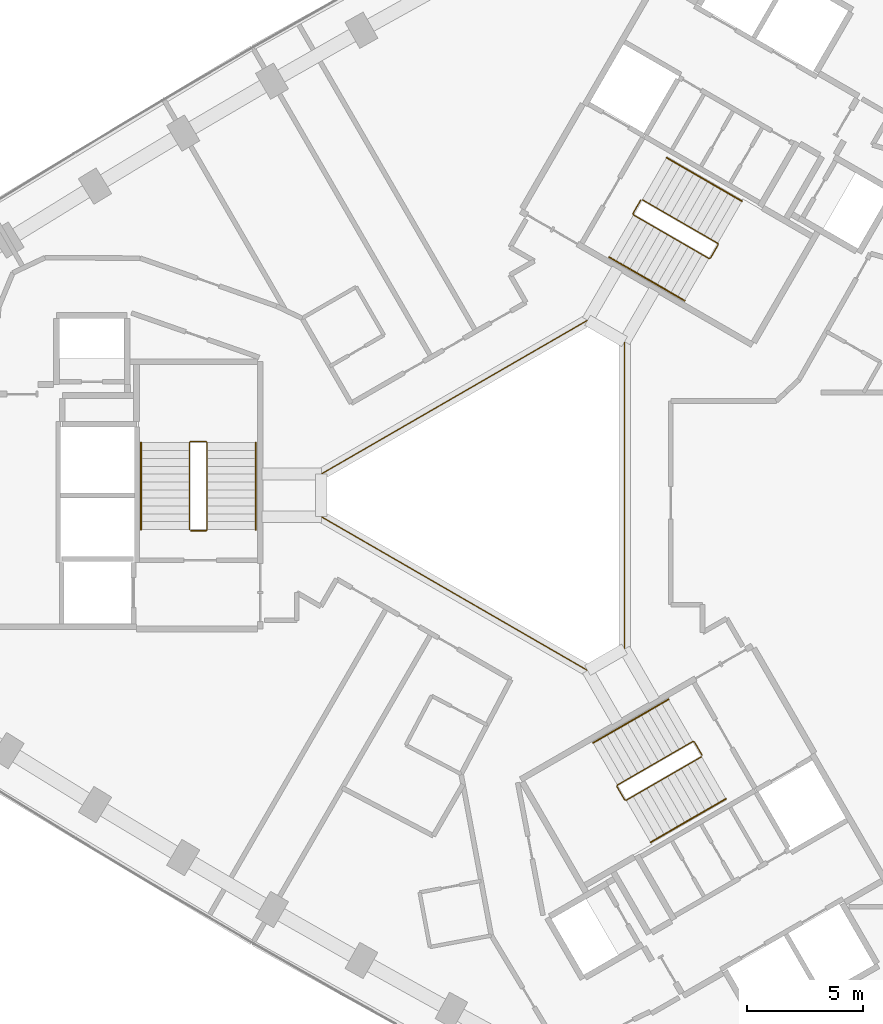
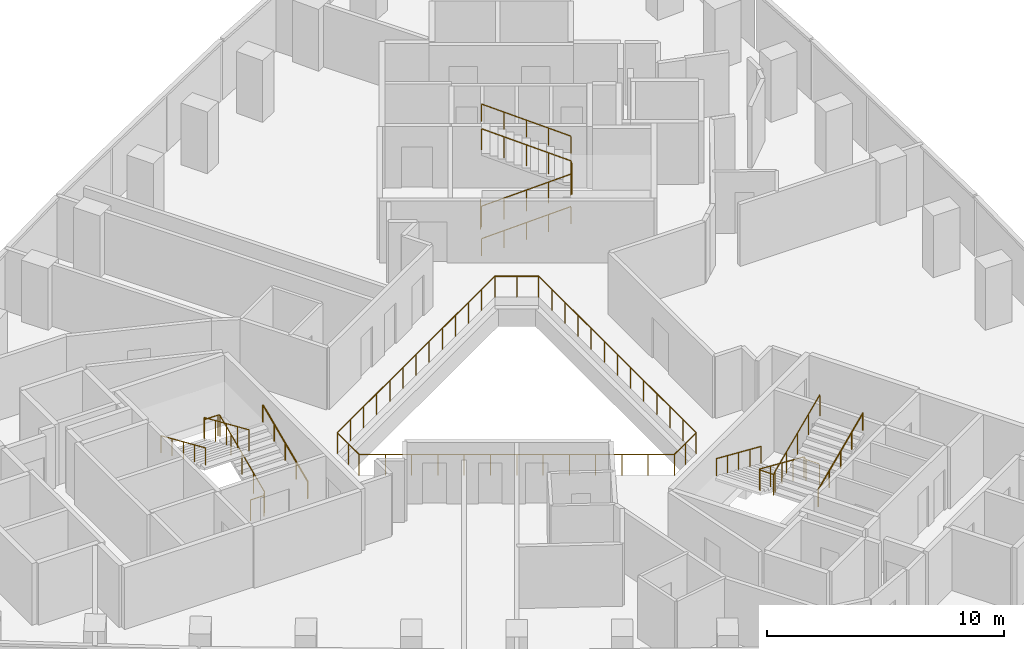
# One storey, part 12 of 12: 10 railings.
"""IFC4 building model written with IfcOpenShell, lengths in metres."""

from ifc_helpers import new_model, si_unit, direction, frame, origin, origin_2d, place, context, subcontext, project, spatial, circle, extrude, material, type_object, element, save


model = new_model("IFC4")

# Units and contexts
model_context = context("Model", 3, precision=1e-05, world=origin(), true_north=direction((0.0, 1.0)))
body_context = subcontext(model_context, "Body", "Model", "MODEL_VIEW")
ifc_project = project(units=[si_unit("LENGTHUNIT", "METRE"), si_unit("AREAUNIT", "SQUARE_METRE"), si_unit("VOLUMEUNIT", "CUBIC_METRE"), si_unit("PLANEANGLEUNIT", "RADIAN"), si_unit("MASSUNIT", "GRAM", prefix="KILO")], contexts=[model_context])

# Site, building, storey
site_placement = place(None, origin())
site = spatial("IfcSite", under=ifc_project, at=site_placement, CompositionType="ELEMENT")
building_placement = place(site_placement, origin())
building = spatial("IfcBuilding", under=site, at=building_placement, Name="Tamra Quay Hotel Tower", CompositionType="ELEMENT")
storey_placement = place(building_placement, frame((0.0, 0.0, 83.0)))
storey = spatial("IfcBuildingStorey", under=building, at=storey_placement, Name="L19", CompositionType="ELEMENT", Elevation=83.0)

# Railings
ifc_material_1 = material(Name="Guard atrium edge 1100")
railing_type_1 = type_object("IfcRailingType", Name="Guard atrium edge 1100", PredefinedType="GUARDRAIL", material=ifc_material_1)
railing_1_placement = place(storey_placement, frame((4.89990234375, -6.639892578125, 0.0)))
element("IfcRailing", 1, at=railing_1_placement, inside=storey, type_object=railing_type_1, Name="G-A", PredefinedType="GUARDRAIL", context=body_context, shape_type="SweptSolid", body=[
    extrude(circle(Radius=0.02392578125, at=origin_2d()), frame((0.0, 0.0, 1.076171875), z_axis=(-0.866161379324, -0.499764409465, 0.0), x_axis=(0.499764409465, -0.866161379324, 0.0)), (0.0, 0.0, 1.0), 1.84716796875),
    extrude(circle(Radius=0.02392578125, at=origin_2d()), frame((-1.599853515625, -0.923095703125, 1.076171875), z_axis=(-0.866045362687, 0.499965428574, 0.0), x_axis=(-0.499965428574, -0.866045362687, 0.0)), (0.0, 0.0, 1.0), 13.27880859375),
    extrude(circle(Radius=0.02392578125, at=origin_2d()), frame((-13.099853515625, 5.7158203125, 1.076171875), z_axis=(0.0, 1.0, 0.0), x_axis=(-1.0, 0.0, 0.0)), (0.0, 0.0, 1.0), 1.84814453125),
    extrude(circle(Radius=0.02392578125, at=origin_2d()), frame((-13.099853515625, 7.56396484375, 1.076171875), z_axis=(0.866045362687, 0.499965428574, 0.0), x_axis=(-0.499965428574, 0.866045362687, 0.0)), (0.0, 0.0, 1.0), 13.27880859375),
    extrude(circle(Radius=0.02392578125, at=origin_2d()), frame((-1.599853515625, 14.202880859375, 1.076171875), z_axis=(0.866161379324, -0.499764409465, 0.0), x_axis=(0.499764409465, 0.866161379324, 0.0)), (0.0, 0.0, 1.0), 1.84716796875),
    extrude(circle(Radius=0.02392578125, at=origin_2d()), frame((0.0, 13.27978515625, 1.076171875), z_axis=(0.0, -1.0, 0.0), x_axis=(1.0, 0.0, 0.0)), (0.0, 0.0, 1.0), 13.27978515625),
    extrude(circle(Radius=0.02099609375, at=origin_2d()), origin(), (0.0, 0.0, 1.0), 1.052001953125),
    extrude(circle(Radius=0.02099609375, at=origin_2d()), frame((-0.7998046875, -0.46142578125, 0.0)), (0.0, 0.0, 1.0), 1.052001953125),
    extrude(circle(Radius=0.02099609375, at=origin_2d()), frame((-1.599853515625, -0.923095703125, 0.0)), (0.0, 0.0, 1.0), 1.052001953125),
    extrude(circle(Radius=0.02099609375, at=origin_2d()), frame((-2.55810546875, -0.369873046875, 0.0)), (0.0, 0.0, 1.0), 1.052001953125),
    extrude(circle(Radius=0.02099609375, at=origin_2d()), frame((-3.5166015625, 0.183349609375, 0.0)), (0.0, 0.0, 1.0), 1.052001953125),
    extrude(circle(Radius=0.02099609375, at=origin_2d()), frame((-4.474853515625, 0.736572265625, 0.0)), (0.0, 0.0, 1.0), 1.052001953125),
    extrude(circle(Radius=0.02099609375, at=origin_2d()), frame((-5.43310546875, 1.289794921875, 0.0)), (0.0, 0.0, 1.0), 1.052001953125),
    extrude(circle(Radius=0.02099609375, at=origin_2d()), frame((-6.3916015625, 1.843017578125, 0.0)), (0.0, 0.0, 1.0), 1.052001953125),
    extrude(circle(Radius=0.02099609375, at=origin_2d()), frame((-7.349853515625, 2.396484375, 0.0)), (0.0, 0.0, 1.0), 1.052001953125),
    extrude(circle(Radius=0.02099609375, at=origin_2d()), frame((-8.30810546875, 2.94970703125, 0.0)), (0.0, 0.0, 1.0), 1.052001953125),
    extrude(circle(Radius=0.02099609375, at=origin_2d()), frame((-9.2666015625, 3.5029296875, 0.0)), (0.0, 0.0, 1.0), 1.052001953125),
    extrude(circle(Radius=0.02099609375, at=origin_2d()), frame((-10.224853515625, 4.05615234375, 0.0)), (0.0, 0.0, 1.0), 1.052001953125),
    extrude(circle(Radius=0.02099609375, at=origin_2d()), frame((-11.18310546875, 4.609375, 0.0)), (0.0, 0.0, 1.0), 1.052001953125),
    extrude(circle(Radius=0.02099609375, at=origin_2d()), frame((-12.1416015625, 5.16259765625, 0.0)), (0.0, 0.0, 1.0), 1.052001953125),
    extrude(circle(Radius=0.02099609375, at=origin_2d()), frame((-13.099853515625, 5.7158203125, 0.0)), (0.0, 0.0, 1.0), 1.052001953125),
    extrude(circle(Radius=0.02099609375, at=origin_2d()), frame((-13.099853515625, 6.639892578125, 0.0)), (0.0, 0.0, 1.0), 1.052001953125),
    extrude(circle(Radius=0.02099609375, at=origin_2d()), frame((-13.099853515625, 7.56396484375, 0.0)), (0.0, 0.0, 1.0), 1.052001953125),
    extrude(circle(Radius=0.02099609375, at=origin_2d()), frame((-12.1416015625, 8.1171875, 0.0)), (0.0, 0.0, 1.0), 1.052001953125),
    extrude(circle(Radius=0.02099609375, at=origin_2d()), frame((-11.18310546875, 8.67041015625, 0.0)), (0.0, 0.0, 1.0), 1.052001953125),
    extrude(circle(Radius=0.02099609375, at=origin_2d()), frame((-10.224853515625, 9.2236328125, 0.0)), (0.0, 0.0, 1.0), 1.052001953125),
    extrude(circle(Radius=0.02099609375, at=origin_2d()), frame((-9.2666015625, 9.77685546875, 0.0)), (0.0, 0.0, 1.0), 1.052001953125),
    extrude(circle(Radius=0.02099609375, at=origin_2d()), frame((-8.30810546875, 10.330078125, 0.0)), (0.0, 0.0, 1.0), 1.052001953125),
    extrude(circle(Radius=0.02099609375, at=origin_2d()), frame((-7.349853515625, 10.88330078125, 0.0)), (0.0, 0.0, 1.0), 1.052001953125),
    extrude(circle(Radius=0.02099609375, at=origin_2d()), frame((-6.3916015625, 11.436767578125, 0.0)), (0.0, 0.0, 1.0), 1.052001953125),
    extrude(circle(Radius=0.02099609375, at=origin_2d()), frame((-5.43310546875, 11.989990234375, 0.0)), (0.0, 0.0, 1.0), 1.052001953125),
    extrude(circle(Radius=0.02099609375, at=origin_2d()), frame((-4.474853515625, 12.543212890625, 0.0)), (0.0, 0.0, 1.0), 1.052001953125),
    extrude(circle(Radius=0.02099609375, at=origin_2d()), frame((-3.5166015625, 13.096435546875, 0.0)), (0.0, 0.0, 1.0), 1.052001953125),
    extrude(circle(Radius=0.02099609375, at=origin_2d()), frame((-2.55810546875, 13.649658203125, 0.0)), (0.0, 0.0, 1.0), 1.052001953125),
    extrude(circle(Radius=0.02099609375, at=origin_2d()), frame((-1.599853515625, 14.202880859375, 0.0)), (0.0, 0.0, 1.0), 1.052001953125),
    extrude(circle(Radius=0.02099609375, at=origin_2d()), frame((-0.7998046875, 13.7412109375, 0.0)), (0.0, 0.0, 1.0), 1.052001953125),
    extrude(circle(Radius=0.02099609375, at=origin_2d()), frame((0.0, 13.27978515625, 0.0)), (0.0, 0.0, 1.0), 1.052001953125),
    extrude(circle(Radius=0.02099609375, at=origin_2d()), frame((0.0, 12.173095703125, 0.0)), (0.0, 0.0, 1.0), 1.052001953125),
    extrude(circle(Radius=0.02099609375, at=origin_2d()), frame((0.0, 11.06640625, 0.0)), (0.0, 0.0, 1.0), 1.052001953125),
    extrude(circle(Radius=0.02099609375, at=origin_2d()), frame((0.0, 9.9599609375, 0.0)), (0.0, 0.0, 1.0), 1.052001953125),
    extrude(circle(Radius=0.02099609375, at=origin_2d()), frame((0.0, 8.853271484375, 0.0)), (0.0, 0.0, 1.0), 1.052001953125),
    extrude(circle(Radius=0.02099609375, at=origin_2d()), frame((0.0, 7.74658203125, 0.0)), (0.0, 0.0, 1.0), 1.052001953125),
    extrude(circle(Radius=0.02099609375, at=origin_2d()), frame((0.0, 6.639892578125, 0.0)), (0.0, 0.0, 1.0), 1.052001953125),
    extrude(circle(Radius=0.02099609375, at=origin_2d()), frame((0.0, 5.533203125, 0.0)), (0.0, 0.0, 1.0), 1.052001953125),
    extrude(circle(Radius=0.02099609375, at=origin_2d()), frame((0.0, 4.426513671875, 0.0)), (0.0, 0.0, 1.0), 1.052001953125),
    extrude(circle(Radius=0.02099609375, at=origin_2d()), frame((0.0, 3.31982421875, 0.0)), (0.0, 0.0, 1.0), 1.052001953125),
    extrude(circle(Radius=0.02099609375, at=origin_2d()), frame((0.0, 2.21337890625, 0.0)), (0.0, 0.0, 1.0), 1.052001953125),
    extrude(circle(Radius=0.02099609375, at=origin_2d()), frame((0.0, 1.106689453125, 0.0)), (0.0, 0.0, 1.0), 1.052001953125),
])
ifc_material_2 = material(Name="Stair guard 1100")
railing_type_2 = type_object("IfcRailingType", Name="Stair guard 1100", PredefinedType="GUARDRAIL", material=ifc_material_2)
railing_2_placement = place(storey_placement, frame((-13.84130859375, -1.530029296875, 0.0)))
element("IfcRailing", 2, at=railing_2_placement, inside=storey, type_object=railing_type_2, Name="GR", PredefinedType="GUARDRAIL", context=body_context, shape_type="SweptSolid", body=[
    extrude(circle(Radius=0.02392578125, at=origin_2d()), frame((0.0, 0.0, 1.076171875), z_axis=(1.0, 0.0, 0.0), x_axis=(0.0, 1.0, 0.0)), (0.0, 0.0, 1.0), 0.658935546875),
    extrude(circle(Radius=0.02392578125, at=origin_2d()), frame((0.658935546875, 0.0, 1.076171875), z_axis=(0.301912943143, 0.301912943143, 0.904266083366), x_axis=(-0.707106781187, 0.707106781187, 0.0)), (0.0, 0.0, 1.0), 0.165771484375),
    extrude(circle(Radius=0.02392578125, at=origin_2d()), frame((0.708984375, 0.050048828125, 1.22607421875), z_axis=(0.0, 0.915773634228, 0.401694723457), x_axis=(-1.0, 0.0, 0.0)), (0.0, 0.0, 1.0), 4.10791015625),
    extrude(circle(Radius=0.02392578125, at=origin_2d()), frame((0.708984375, 3.81201171875, 2.8759765625), z_axis=(-0.708833529934, 0.705375805398, 0.0), x_axis=(-0.705375805398, -0.708833529934, 0.0)), (0.0, 0.0, 1.0), 0.070556640625),
    extrude(circle(Radius=0.02392578125, at=origin_2d()), frame((0.658935546875, 3.86181640625, 2.8759765625), z_axis=(-1.0, 0.0, 0.0), x_axis=(0.0, -1.0, 0.0)), (0.0, 0.0, 1.0), 0.658935546875),
    extrude(circle(Radius=0.02392578125, at=origin_2d()), frame((0.0, 3.86181640625, 2.8759765625), z_axis=(-0.302046947789, -0.300573548044, 0.904667443621), x_axis=(0.705375805398, -0.708833529934, 0.0)), (0.0, 0.0, 1.0), 0.165771484375),
    extrude(circle(Radius=0.02392578125, at=origin_2d()), frame((-0.050048828125, 3.81201171875, 3.02587890625), z_axis=(0.0, -0.915773634228, 0.401694723457), x_axis=(1.0, 0.0, 0.0)), (0.0, 0.0, 1.0), 4.10791015625),
    extrude(circle(Radius=0.02099609375, at=origin_2d()), origin(), (0.0, 0.0, 1.0), 1.052001953125),
    extrude(circle(Radius=0.02099609375, at=origin_2d()), frame((0.658935546875, 0.0, 0.0)), (0.0, 0.0, 1.0), 1.052001953125),
    extrude(circle(Radius=0.02099609375, at=origin_2d()), frame((0.708984375, 0.050048828125, 0.14990234375)), (0.0, 0.0, 1.0), 1.052001953125),
    extrude(circle(Radius=0.02099609375, at=origin_2d()), frame((0.708984375, 0.990478515625, 0.5625)), (0.0, 0.0, 1.0), 1.052001953125),
    extrude(circle(Radius=0.02099609375, at=origin_2d()), frame((0.708984375, 1.93115234375, 0.97509765625)), (0.0, 0.0, 1.0), 1.052001953125),
    extrude(circle(Radius=0.02099609375, at=origin_2d()), frame((0.708984375, 2.87158203125, 1.387451171875)), (0.0, 0.0, 1.0), 1.052001953125),
    extrude(circle(Radius=0.02099609375, at=origin_2d()), frame((0.708984375, 3.81201171875, 1.800048828125)), (0.0, 0.0, 1.0), 1.052001953125),
    extrude(circle(Radius=0.02099609375, at=origin_2d()), frame((0.658935546875, 3.86181640625, 1.800048828125)), (0.0, 0.0, 1.0), 1.052001953125),
    extrude(circle(Radius=0.02099609375, at=origin_2d()), frame((0.0, 3.86181640625, 1.800048828125)), (0.0, 0.0, 1.0), 1.052001953125),
    extrude(circle(Radius=0.02099609375, at=origin_2d()), frame((-0.050048828125, 3.81201171875, 1.949951171875)), (0.0, 0.0, 1.0), 1.052001953125),
    extrude(circle(Radius=0.02099609375, at=origin_2d()), frame((-0.050048828125, 2.87158203125, 2.362548828125)), (0.0, 0.0, 1.0), 1.052001953125),
    extrude(circle(Radius=0.02099609375, at=origin_2d()), frame((-0.050048828125, 1.93115234375, 2.77490234375)), (0.0, 0.0, 1.0), 1.052001953125),
    extrude(circle(Radius=0.02099609375, at=origin_2d()), frame((-0.050048828125, 0.990478515625, 3.1875)), (0.0, 0.0, 1.0), 1.052001953125),
    extrude(circle(Radius=0.02099609375, at=origin_2d()), frame((-0.050048828125, 0.050048828125, 3.60009765625)), (0.0, 0.0, 1.0), 1.052001953125),
])
railing_3_placement = place(storey_placement, frame((5.595458984375, 12.751953125, 0.0)))
element("IfcRailing", 3, at=railing_3_placement, inside=storey, type_object=railing_type_2, Name="GR", PredefinedType="GUARDRAIL", context=body_context, shape_type="SweptSolid", body=[
    extrude(circle(Radius=0.02392578125, at=origin_2d()), frame((0.0, 0.0, 1.076171875), z_axis=(-0.499765215335, -0.866160914346, 0.0), x_axis=(0.866160914346, -0.499765215335, 0.0)), (0.0, 0.0, 1.0), 0.658935546875),
    extrude(circle(Radius=0.02392578125, at=origin_2d()), frame((-0.329345703125, -0.57080078125, 1.076171875), z_axis=(0.110525977783, -0.411156637351, 0.904839338113), x_axis=(0.965715946433, 0.259601060869, 0.0)), (0.0, 0.0, 1.0), 0.165771484375),
    extrude(circle(Radius=0.02392578125, at=origin_2d()), frame((-0.31103515625, -0.638916015625, 1.22607421875), z_axis=(0.79305953016, -0.457922937641, 0.401700342053), x_axis=(0.500040788363, 0.866001853331, 0.0)), (0.0, 0.0, 1.0), 4.10791015625),
    extrude(circle(Radius=0.02392578125, at=origin_2d()), frame((2.94677734375, -2.52001953125, 2.8759765625), z_axis=(0.965948051503, 0.258736085224, 0.0), x_axis=(-0.258736085224, 0.965948051503, 0.0)), (0.0, 0.0, 1.0), 0.07080078125),
    extrude(circle(Radius=0.02392578125, at=origin_2d()), frame((3.01513671875, -2.501708984375, 2.8759765625), z_axis=(0.500043078269, 0.866000531106, 0.0), x_axis=(-0.866000531106, 0.500043078269, 0.0)), (0.0, 0.0, 1.0), 0.6591796875),
    extrude(circle(Radius=0.02392578125, at=origin_2d()), frame((3.3447265625, -1.930908203125, 2.8759765625), z_axis=(-0.110525977783, 0.411156637351, 0.904839338113), x_axis=(-0.965715946433, -0.259601060869, 0.0)), (0.0, 0.0, 1.0), 0.165771484375),
    extrude(circle(Radius=0.02392578125, at=origin_2d()), frame((3.326416015625, -1.86279296875, 3.02587890625), z_axis=(-0.793081581205, 0.457901355053, 0.401681409319), x_axis=(-0.500012686397, -0.866018079166, 0.0)), (0.0, 0.0, 1.0), 4.108154296875),
    extrude(circle(Radius=0.02099609375, at=origin_2d()), origin(), (0.0, 0.0, 1.0), 1.052001953125),
    extrude(circle(Radius=0.02099609375, at=origin_2d()), frame((-0.329345703125, -0.57080078125, 0.0)), (0.0, 0.0, 1.0), 1.052001953125),
    extrude(circle(Radius=0.02099609375, at=origin_2d()), frame((-0.31103515625, -0.638916015625, 0.14990234375)), (0.0, 0.0, 1.0), 1.052001953125),
    extrude(circle(Radius=0.02099609375, at=origin_2d()), frame((0.50341796875, -1.109130859375, 0.5625)), (0.0, 0.0, 1.0), 1.052001953125),
    extrude(circle(Radius=0.02099609375, at=origin_2d()), frame((1.31787109375, -1.57958984375, 0.97509765625)), (0.0, 0.0, 1.0), 1.052001953125),
    extrude(circle(Radius=0.02099609375, at=origin_2d()), frame((2.13232421875, -2.0498046875, 1.387451171875)), (0.0, 0.0, 1.0), 1.052001953125),
    extrude(circle(Radius=0.02099609375, at=origin_2d()), frame((2.94677734375, -2.52001953125, 1.800048828125)), (0.0, 0.0, 1.0), 1.052001953125),
    extrude(circle(Radius=0.02099609375, at=origin_2d()), frame((3.01513671875, -2.501708984375, 1.800048828125)), (0.0, 0.0, 1.0), 1.052001953125),
    extrude(circle(Radius=0.02099609375, at=origin_2d()), frame((3.3447265625, -1.930908203125, 1.800048828125)), (0.0, 0.0, 1.0), 1.052001953125),
    extrude(circle(Radius=0.02099609375, at=origin_2d()), frame((3.326416015625, -1.86279296875, 1.949951171875)), (0.0, 0.0, 1.0), 1.052001953125),
    extrude(circle(Radius=0.02099609375, at=origin_2d()), frame((2.511962890625, -1.392578125, 2.362548828125)), (0.0, 0.0, 1.0), 1.052001953125),
    extrude(circle(Radius=0.02099609375, at=origin_2d()), frame((1.697265625, -0.92236328125, 2.77490234375)), (0.0, 0.0, 1.0), 1.052001953125),
    extrude(circle(Radius=0.02099609375, at=origin_2d()), frame((0.8828125, -0.451904296875, 3.1875)), (0.0, 0.0, 1.0), 1.052001953125),
    extrude(circle(Radius=0.02099609375, at=origin_2d()), frame((0.068359375, 0.018310546875, 3.60009765625)), (0.0, 0.0, 1.0), 1.052001953125),
])
railing_4_placement = place(storey_placement, frame((8.245849609375, -11.221923828125, 0.0)))
element("IfcRailing", 4, at=railing_4_placement, inside=storey, type_object=railing_type_2, Name="GR", PredefinedType="GUARDRAIL", context=body_context, shape_type="SweptSolid", body=[
    extrude(circle(Radius=0.02392578125, at=origin_2d()), frame((0.0, 0.0, 1.076171875), z_axis=(-0.500043078269, 0.866000531106, 0.0), x_axis=(-0.866000531106, -0.500043078269, 0.0)), (0.0, 0.0, 1.0), 0.6591796875),
    extrude(circle(Radius=0.02392578125, at=origin_2d()), frame((-0.32958984375, 0.57080078125, 1.076171875), z_axis=(-0.41238007866, 0.110458949641, 0.904290601062), x_axis=(-0.258736085224, -0.965948051503, 0.0)), (0.0, 0.0, 1.0), 0.165771484375),
    extrude(circle(Radius=0.02392578125, at=origin_2d()), frame((-0.39794921875, 0.589111328125, 1.22607421875), z_axis=(-0.793081581205, -0.457901355053, 0.401681409319), x_axis=(0.500012686397, -0.866018079166, 0.0)), (0.0, 0.0, 1.0), 4.108154296875),
    extrude(circle(Radius=0.02392578125, at=origin_2d()), frame((-3.656005859375, -1.2919921875, 2.8759765625), z_axis=(-0.256368644879, -0.966579080015, 0.0), x_axis=(0.966579080015, -0.256368644879, 0.0)), (0.0, 0.0, 1.0), 0.070556640625),
    extrude(circle(Radius=0.02392578125, at=origin_2d()), frame((-3.674072265625, -1.360107421875, 2.8759765625), z_axis=(0.499765215335, -0.866160914346, 0.0), x_axis=(0.866160914346, 0.499765215335, 0.0)), (0.0, 0.0, 1.0), 0.658935546875),
    extrude(circle(Radius=0.02392578125, at=origin_2d()), frame((-3.3447265625, -1.930908203125, 2.8759765625), z_axis=(0.41238007866, -0.110458949641, 0.904290601062), x_axis=(0.258736085224, 0.965948051503, 0.0)), (0.0, 0.0, 1.0), 0.165771484375),
    extrude(circle(Radius=0.02392578125, at=origin_2d()), frame((-3.2763671875, -1.94921875, 3.02587890625), z_axis=(0.793081581205, 0.457901355053, 0.401681409319), x_axis=(-0.500012686397, 0.866018079166, 0.0)), (0.0, 0.0, 1.0), 4.108154296875),
    extrude(circle(Radius=0.02099609375, at=origin_2d()), origin(), (0.0, 0.0, 1.0), 1.052001953125),
    extrude(circle(Radius=0.02099609375, at=origin_2d()), frame((-0.32958984375, 0.57080078125, 0.0)), (0.0, 0.0, 1.0), 1.052001953125),
    extrude(circle(Radius=0.02099609375, at=origin_2d()), frame((-0.39794921875, 0.589111328125, 0.14990234375)), (0.0, 0.0, 1.0), 1.052001953125),
    extrude(circle(Radius=0.02099609375, at=origin_2d()), frame((-1.21240234375, 0.118896484375, 0.5625)), (0.0, 0.0, 1.0), 1.052001953125),
    extrude(circle(Radius=0.02099609375, at=origin_2d()), frame((-2.02685546875, -0.3515625, 0.97509765625)), (0.0, 0.0, 1.0), 1.052001953125),
    extrude(circle(Radius=0.02099609375, at=origin_2d()), frame((-2.841552734375, -0.82177734375, 1.387451171875)), (0.0, 0.0, 1.0), 1.052001953125),
    extrude(circle(Radius=0.02099609375, at=origin_2d()), frame((-3.656005859375, -1.2919921875, 1.800048828125)), (0.0, 0.0, 1.0), 1.052001953125),
    extrude(circle(Radius=0.02099609375, at=origin_2d()), frame((-3.674072265625, -1.360107421875, 1.800048828125)), (0.0, 0.0, 1.0), 1.052001953125),
    extrude(circle(Radius=0.02099609375, at=origin_2d()), frame((-3.3447265625, -1.930908203125, 1.800048828125)), (0.0, 0.0, 1.0), 1.052001953125),
    extrude(circle(Radius=0.02099609375, at=origin_2d()), frame((-3.2763671875, -1.94921875, 1.949951171875)), (0.0, 0.0, 1.0), 1.052001953125),
    extrude(circle(Radius=0.02099609375, at=origin_2d()), frame((-2.4619140625, -1.47900390625, 2.362548828125)), (0.0, 0.0, 1.0), 1.052001953125),
    extrude(circle(Radius=0.02099609375, at=origin_2d()), frame((-1.6474609375, -1.0087890625, 2.77490234375)), (0.0, 0.0, 1.0), 1.052001953125),
    extrude(circle(Radius=0.02099609375, at=origin_2d()), frame((-0.832763671875, -0.538330078125, 3.1875)), (0.0, 0.0, 1.0), 1.052001953125),
    extrude(circle(Radius=0.02099609375, at=origin_2d()), frame((-0.018310546875, -0.068115234375, 3.60009765625)), (0.0, 0.0, 1.0), 1.052001953125),
])
ifc_material_3 = material(Name="Stair handrail 900")
railing_type_3 = type_object("IfcRailingType", Name="Stair handrail 900", PredefinedType="HANDRAIL", material=ifc_material_3)
railing_5_placement = place(storey_placement, frame((-11.0322265625, -1.47998046875, 0.14990234375)))
element("IfcRailing", 5, at=railing_5_placement, inside=storey, type_object=railing_type_3, Name="HR", PredefinedType="HANDRAIL", context=body_context, shape_type="SweptSolid", body=[
    extrude(circle(Radius=0.02392578125, at=origin_2d()), frame((0.0, 0.0, 0.8759765625), z_axis=(0.0, 0.915773634228, 0.401694723457), x_axis=(-1.0, 0.0, 0.0)), (0.0, 0.0, 1.0), 4.10791015625),
    extrude(circle(Radius=0.02099609375, at=origin_2d()), origin(), (0.0, 0.0, 1.0), 0.851806640625),
    extrude(circle(Radius=0.02099609375, at=origin_2d()), frame((0.0, 0.9404296875, 0.41259765625)), (0.0, 0.0, 1.0), 0.851806640625),
    extrude(circle(Radius=0.02099609375, at=origin_2d()), frame((0.0, 1.880859375, 0.8251953125)), (0.0, 0.0, 1.0), 0.851806640625),
    extrude(circle(Radius=0.02099609375, at=origin_2d()), frame((0.0, 2.821533203125, 1.237548828125)), (0.0, 0.0, 1.0), 0.851806640625),
    extrude(circle(Radius=0.02099609375, at=origin_2d()), frame((0.0, 3.761962890625, 1.650146484375)), (0.0, 0.0, 1.0), 0.851806640625),
])
railing_6_placement = place(storey_placement, frame((-15.9912109375, 2.281982421875, 1.949951171875)))
element("IfcRailing", 6, at=railing_6_placement, inside=storey, type_object=railing_type_3, Name="HR", PredefinedType="HANDRAIL", context=body_context, shape_type="SweptSolid", body=[
    extrude(circle(Radius=0.02392578125, at=origin_2d()), frame((0.0, 0.0, 0.8759765625), z_axis=(0.0, -0.915773634228, 0.401694723457), x_axis=(1.0, 0.0, 0.0)), (0.0, 0.0, 1.0), 4.10791015625),
    extrude(circle(Radius=0.02099609375, at=origin_2d()), origin(), (0.0, 0.0, 1.0), 0.851806640625),
    extrude(circle(Radius=0.02099609375, at=origin_2d()), frame((0.0, -0.9404296875, 0.41259765625)), (0.0, 0.0, 1.0), 0.851806640625),
    extrude(circle(Radius=0.02099609375, at=origin_2d()), frame((0.0, -1.880859375, 0.8251953125)), (0.0, 0.0, 1.0), 0.851806640625),
    extrude(circle(Radius=0.02099609375, at=origin_2d()), frame((0.0, -2.821533203125, 1.237548828125)), (0.0, 0.0, 1.0), 0.851806640625),
    extrude(circle(Radius=0.02099609375, at=origin_2d()), frame((0.0, -3.761962890625, 1.650146484375)), (0.0, 0.0, 1.0), 0.851806640625),
])
railing_7_placement = place(storey_placement, frame((4.234375, 10.294189453125, 0.14990234375)))
element("IfcRailing", 7, at=railing_7_placement, inside=storey, type_object=railing_type_3, Name="HR", PredefinedType="HANDRAIL", context=body_context, shape_type="SweptSolid", body=[
    extrude(circle(Radius=0.02392578125, at=origin_2d()), frame((0.0, 0.0, 0.8759765625), z_axis=(0.793103162556, -0.457854384738, 0.401692339881), x_axis=(0.499964013922, 0.86604617936, 0.0)), (0.0, 0.0, 1.0), 4.10791015625),
    extrude(circle(Radius=0.02099609375, at=origin_2d()), origin(), (0.0, 0.0, 1.0), 0.851806640625),
    extrude(circle(Radius=0.02099609375, at=origin_2d()), frame((0.814453125, -0.47021484375, 0.41259765625)), (0.0, 0.0, 1.0), 0.851806640625),
    extrude(circle(Radius=0.02099609375, at=origin_2d()), frame((1.62890625, -0.9404296875, 0.8251953125)), (0.0, 0.0, 1.0), 0.851806640625),
    extrude(circle(Radius=0.02099609375, at=origin_2d()), frame((2.443603515625, -1.41064453125, 1.237548828125)), (0.0, 0.0, 1.0), 0.851806640625),
    extrude(circle(Radius=0.02099609375, at=origin_2d()), frame((3.258056640625, -1.880859375, 1.650146484375)), (0.0, 0.0, 1.0), 0.851806640625),
])
railing_8_placement = place(storey_placement, frame((9.971923828125, 12.7080078125, 1.949951171875)))
element("IfcRailing", 8, at=railing_8_placement, inside=storey, type_object=railing_type_3, Name="HR", PredefinedType="HANDRAIL", context=body_context, shape_type="SweptSolid", body=[
    extrude(circle(Radius=0.02392578125, at=origin_2d()), frame((0.0, 0.0, 0.8759765625), z_axis=(-0.793103162556, 0.457854384738, 0.401692339881), x_axis=(-0.499964013922, -0.86604617936, 0.0)), (0.0, 0.0, 1.0), 4.10791015625),
    extrude(circle(Radius=0.02099609375, at=origin_2d()), origin(), (0.0, 0.0, 1.0), 0.851806640625),
    extrude(circle(Radius=0.02099609375, at=origin_2d()), frame((-0.814453125, 0.47021484375, 0.41259765625)), (0.0, 0.0, 1.0), 0.851806640625),
    extrude(circle(Radius=0.02099609375, at=origin_2d()), frame((-1.62890625, 0.9404296875, 0.8251953125)), (0.0, 0.0, 1.0), 0.851806640625),
    extrude(circle(Radius=0.02099609375, at=origin_2d()), frame((-2.443603515625, 1.41064453125, 1.237548828125)), (0.0, 0.0, 1.0), 0.851806640625),
    extrude(circle(Radius=0.02099609375, at=origin_2d()), frame((-3.258056640625, 1.880859375, 1.650146484375)), (0.0, 0.0, 1.0), 0.851806640625),
])
railing_9_placement = place(storey_placement, frame((6.7978515625, -8.814208984375, 0.14990234375)))
element("IfcRailing", 9, at=railing_9_placement, inside=storey, type_object=railing_type_3, Name="HR", PredefinedType="HANDRAIL", context=body_context, shape_type="SweptSolid", body=[
    extrude(circle(Radius=0.02392578125, at=origin_2d()), frame((0.0, 0.0, 0.8759765625), z_axis=(-0.793081112945, -0.457875966286, 0.40171127416), x_axis=(0.499992114976, -0.866029956157, 0.0)), (0.0, 0.0, 1.0), 4.10791015625),
    extrude(circle(Radius=0.02099609375, at=origin_2d()), origin(), (0.0, 0.0, 1.0), 0.851806640625),
    extrude(circle(Radius=0.02099609375, at=origin_2d()), frame((-0.814453125, -0.47021484375, 0.41259765625)), (0.0, 0.0, 1.0), 0.851806640625),
    extrude(circle(Radius=0.02099609375, at=origin_2d()), frame((-1.62890625, -0.9404296875, 0.8251953125)), (0.0, 0.0, 1.0), 0.851806640625),
    extrude(circle(Radius=0.02099609375, at=origin_2d()), frame((-2.443359375, -1.41064453125, 1.237548828125)), (0.0, 0.0, 1.0), 0.851806640625),
    extrude(circle(Radius=0.02099609375, at=origin_2d()), frame((-3.2578125, -1.880859375, 1.650146484375)), (0.0, 0.0, 1.0), 0.851806640625),
])
railing_10_placement = place(storey_placement, frame((6.01953125, -14.98974609375, 1.949951171875)))
element("IfcRailing", 10, at=railing_10_placement, inside=storey, type_object=railing_type_3, Name="HR", PredefinedType="HANDRAIL", context=body_context, shape_type="SweptSolid", body=[
    extrude(circle(Radius=0.02392578125, at=origin_2d()), frame((0.0, 0.0, 0.8759765625), z_axis=(0.793081112945, 0.457875966286, 0.40171127416), x_axis=(-0.499992114976, 0.866029956157, 0.0)), (0.0, 0.0, 1.0), 4.10791015625),
    extrude(circle(Radius=0.02099609375, at=origin_2d()), origin(), (0.0, 0.0, 1.0), 0.851806640625),
    extrude(circle(Radius=0.02099609375, at=origin_2d()), frame((0.814453125, 0.47021484375, 0.41259765625)), (0.0, 0.0, 1.0), 0.851806640625),
    extrude(circle(Radius=0.02099609375, at=origin_2d()), frame((1.62890625, 0.9404296875, 0.8251953125)), (0.0, 0.0, 1.0), 0.851806640625),
    extrude(circle(Radius=0.02099609375, at=origin_2d()), frame((2.443359375, 1.41064453125, 1.237548828125)), (0.0, 0.0, 1.0), 0.851806640625),
    extrude(circle(Radius=0.02099609375, at=origin_2d()), frame((3.2578125, 1.880859375, 1.650146484375)), (0.0, 0.0, 1.0), 0.851806640625),
])

save(model, "model.ifc")
